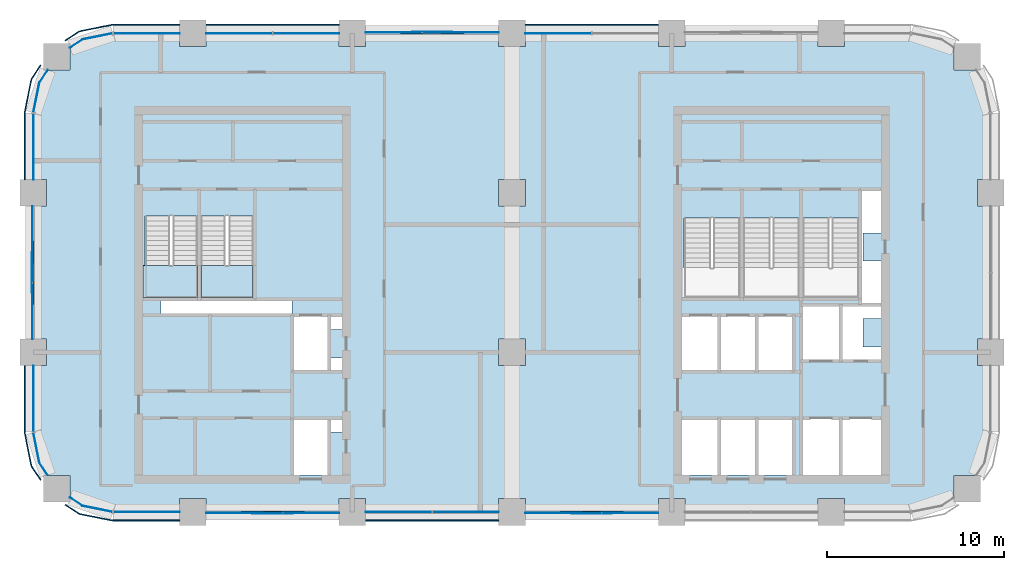
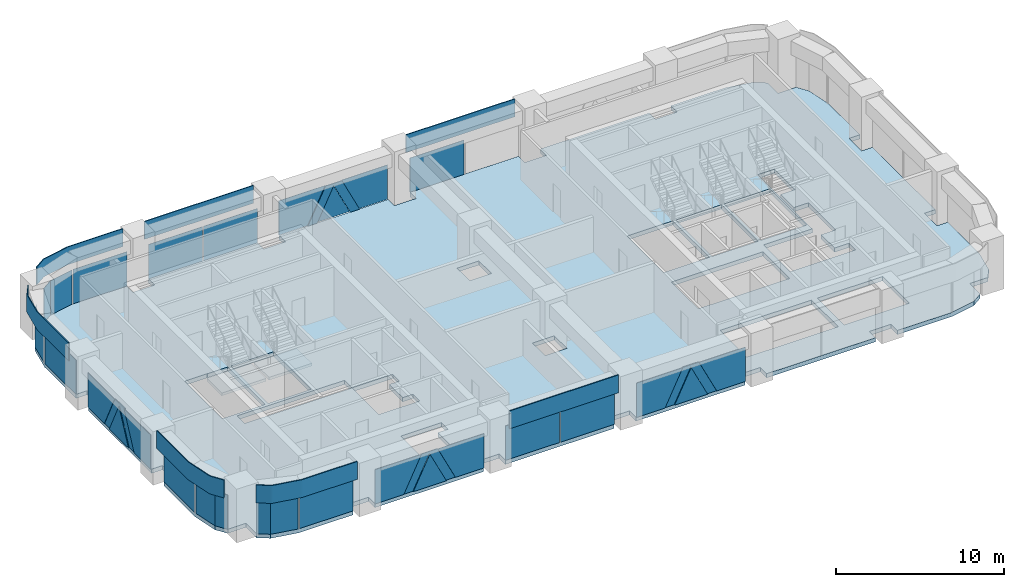
# One storey, part 6 of 18: 36 plates, 3 slabs, 13 elements without a shape of their own.
"""IFC4 building model written with IfcOpenShell, lengths in metres."""

from ifc_helpers import new_model, si_unit, direction, frame, origin, origin_2d, place, context, subcontext, project, spatial, polyline, rectangle, outline, extrude, material, layer, layer_set, type_object, element, aggregate, save


model = new_model("IFC4")

# Units and contexts
model_context = context("Model", 3, precision=1e-05, world=origin(), true_north=direction((0.0, 1.0)))
body_context = subcontext(model_context, "Body", "Model", "MODEL_VIEW")
ifc_project = project(units=[si_unit("LENGTHUNIT", "METRE"), si_unit("AREAUNIT", "SQUARE_METRE"), si_unit("VOLUMEUNIT", "CUBIC_METRE"), si_unit("PLANEANGLEUNIT", "RADIAN"), si_unit("MASSUNIT", "GRAM", prefix="KILO")], contexts=[model_context])

# Site, building, storey
site_placement = place(None, origin())
site = spatial("IfcSite", under=ifc_project, at=site_placement, CompositionType="ELEMENT")
building_placement = place(site_placement, origin())
building = spatial("IfcBuilding", under=site, at=building_placement, Name="Tessera Arch", CompositionType="ELEMENT")
storey_placement = place(building_placement, frame((0.0, 0.0, 185.60009765625)))
storey = spatial("IfcBuildingStorey", under=building, at=storey_placement, Name="L44", CompositionType="ELEMENT", Elevation=185.60009765625)

# Curtain wall, plate
ifc_material_1 = material(Name="CW1 curtain wall")
curtain_wall_type_1 = type_object("IfcCurtainWallType", Name="CW1 curtain wall", PredefinedType="NOTDEFINED", material=ifc_material_1)
curtain_wall_1_placement = place(storey_placement, origin())
curtain_wall_1 = element("IfcCurtainWall", 1, at=curtain_wall_1_placement, inside=storey, type_object=curtain_wall_type_1, Name="CW1 curtain wall N54.0/2 L44", PredefinedType="NOTDEFINED")
ifc_material_2 = material(Name="Clear low-e glass", Category="glass")
ifc_material_3 = material(Name="Clear low-e glass", Category="glass")
ifc_layer_1 = layer(ifc_material_3, 0.028076171875)
ifc_layer_set_1 = layer_set([ifc_layer_1], Name="CW1 glass panel")
plate_type_1 = type_object("IfcPlateType", Name="CW1 glass panel", PredefinedType="CURTAIN_PANEL", material=ifc_layer_set_1)
plate_1_placement = place(storey_placement, frame((29.610107421875, 54.0, 0.0), z_axis=(0.0, 0.0, 1.0), x_axis=(-1.0, 0.0, 0.0)))
plate_1 = element("IfcPlate", 2, at=plate_1_placement, type_object=plate_type_1, material=ifc_material_2, Name="CW1 glass panel N54.0/2 1.2.1", PredefinedType="CURTAIN_PANEL", context=body_context, shape_type="SweptSolid", body=[
    extrude(rectangle(XDim=3.719970703125, YDim=0.028076171875, at=origin_2d()), origin(), (0.0, 0.0, 1.0), 2.5),
])

# Curtain wall, plates
curtain_wall_2_placement = place(storey_placement, origin())
curtain_wall_2 = element("IfcCurtainWall", 3, at=curtain_wall_2_placement, inside=storey, type_object=curtain_wall_type_1, Name="CW1 curtain wall N54.0/4 L44", PredefinedType="NOTDEFINED")
plate_2_placement = place(storey_placement, frame((15.389892578125, 54.0, 0.0), z_axis=(0.0, 0.0, 1.0), x_axis=(-1.0, 0.0, 0.0)))
plate_2 = element("IfcPlate", 4, at=plate_2_placement, type_object=plate_type_1, material=ifc_material_2, Name="CW1 glass panel N54.0/4 1.1.1", PredefinedType="CURTAIN_PANEL", context=body_context, shape_type="SweptSolid", body=[
    extrude(rectangle(XDim=3.719970703125, YDim=0.028076171875, at=origin_2d()), origin(), (0.0, 0.0, 1.0), 2.5),
])
plate_3_placement = place(storey_placement, frame((11.610107421875, 54.0, 0.0), z_axis=(0.0, 0.0, 1.0), x_axis=(-1.0, 0.0, 0.0)))
plate_3 = element("IfcPlate", 5, at=plate_3_placement, type_object=plate_type_1, material=ifc_material_2, Name="CW1 glass panel N54.0/4 1.2.1", PredefinedType="CURTAIN_PANEL", context=body_context, shape_type="SweptSolid", body=[
    extrude(rectangle(XDim=3.719970703125, YDim=0.028076171875, at=origin_2d()), origin(), (0.0, 0.0, 1.0), 2.5),
])

curtain_wall_3_placement = place(storey_placement, origin())
curtain_wall_3 = element("IfcCurtainWall", 6, at=curtain_wall_3_placement, inside=storey, type_object=curtain_wall_type_1, Name="CW1 curtain wall S27.0/2 L44", PredefinedType="NOTDEFINED")
plate_4_placement = place(storey_placement, frame((20.610107421875, 27.0, 0.0), z_axis=(0.0, 0.0, 1.0), x_axis=(1.0, 0.0, 0.0)))
plate_4 = element("IfcPlate", 7, at=plate_4_placement, type_object=plate_type_1, material=ifc_material_2, Name="CW1 glass panel S27.0/2 1.1.1", PredefinedType="CURTAIN_PANEL", context=body_context, shape_type="SweptSolid", body=[
    extrude(rectangle(XDim=3.719970703125, YDim=0.028076171875, at=origin_2d()), origin(), (0.0, 0.0, 1.0), 2.5),
])
plate_5_placement = place(storey_placement, frame((24.389892578125, 27.0, 0.0), z_axis=(0.0, 0.0, 1.0), x_axis=(1.0, 0.0, 0.0)))
plate_5 = element("IfcPlate", 8, at=plate_5_placement, type_object=plate_type_1, material=ifc_material_2, Name="CW1 glass panel S27.0/2 1.2.1", PredefinedType="CURTAIN_PANEL", context=body_context, shape_type="SweptSolid", body=[
    extrude(rectangle(XDim=3.719970703125, YDim=0.028076171875, at=origin_2d()), origin(), (0.0, 0.0, 1.0), 2.5),
])

# Plate
ifc_material_4 = material(Name="Pale anodised aluminium panel", Category="aluminium")
ifc_layer_2 = layer(ifc_material_4, 0.06005859375)
ifc_layer_set_2 = layer_set([ifc_layer_2], Name="CW1 spandrel panel")
plate_type_2 = type_object("IfcPlateType", Name="CW1 spandrel panel", PredefinedType="CURTAIN_PANEL", material=ifc_layer_set_2)
plate_6_placement = place(storey_placement, frame((31.5, 54.47998046875, 2.60009765625), z_axis=(0.0, 0.0, 1.0), x_axis=(-1.0, 0.0, 0.0)))
plate_6 = element("IfcPlate", 9, at=plate_6_placement, type_object=plate_type_2, Name="CW1 spandrel panel N54.0/2", PredefinedType="CURTAIN_PANEL", context=body_context, shape_type="SweptSolid", body=[
    extrude(rectangle(XDim=7.5, YDim=0.06005859375, at=origin_2d()), origin(), (0.0, 0.0, 1.0), 1.300048828125),
])

aggregate(curtain_wall_1, [plate_1, plate_6])

plate_7_placement = place(storey_placement, frame((13.5, 54.47998046875, 2.60009765625), z_axis=(0.0, 0.0, 1.0), x_axis=(-1.0, 0.0, 0.0)))
plate_7 = element("IfcPlate", 10, at=plate_7_placement, type_object=plate_type_2, Name="CW1 spandrel panel N54.0/4", PredefinedType="CURTAIN_PANEL", context=body_context, shape_type="SweptSolid", body=[
    extrude(rectangle(XDim=7.5, YDim=0.06005859375, at=origin_2d()), origin(), (0.0, 0.0, 1.0), 1.300048828125),
])

aggregate(curtain_wall_2, [plate_2, plate_3, plate_7])

plate_8_placement = place(storey_placement, frame((22.5, 26.52001953125, 2.60009765625), z_axis=(0.0, 0.0, 1.0), x_axis=(1.0, 0.0, 0.0)))
plate_8 = element("IfcPlate", 11, at=plate_8_placement, type_object=plate_type_2, Name="CW1 spandrel panel S27.0/2", PredefinedType="CURTAIN_PANEL", context=body_context, shape_type="SweptSolid", body=[
    extrude(rectangle(XDim=7.5, YDim=0.06005859375, at=origin_2d()), origin(), (0.0, 0.0, 1.0), 1.300048828125),
])

aggregate(curtain_wall_3, [plate_4, plate_5, plate_8])

# Curtain wall, plates
ifc_material_5 = material(Name="CW2 curtain wall")
curtain_wall_type_2 = type_object("IfcCurtainWallType", Name="CW2 curtain wall", PredefinedType="NOTDEFINED", material=ifc_material_5)
curtain_wall_4_placement = place(storey_placement, origin())
curtain_wall_4 = element("IfcCurtainWall", 12, at=curtain_wall_4_placement, inside=storey, type_object=curtain_wall_type_2, Name="CW2 curtain wall N54.0/5 L44", PredefinedType="NOTDEFINED")
ifc_material_6 = material(Name="Clear low-e glass", Category="glass")
ifc_layer_3 = layer(ifc_material_6, 0.028076171875)
ifc_layer_set_3 = layer_set([ifc_layer_3], Name="CW2 glass panel")
plate_type_3 = type_object("IfcPlateType", Name="CW2 glass panel", PredefinedType="CURTAIN_PANEL", material=ifc_layer_set_3)
plate_9_placement = place(storey_placement, frame((6.39501953125, 54.0, 0.0), z_axis=(0.0, 0.0, 1.0), x_axis=(-1.0, 0.0, 0.0)))
plate_9 = element("IfcPlate", 13, at=plate_9_placement, type_object=plate_type_3, material=ifc_material_2, Name="CW2 glass panel N54.0/5 1.1", PredefinedType="CURTAIN_PANEL", context=body_context, shape_type="SweptSolid", body=[
    extrude(rectangle(XDim=3.7099609375, YDim=0.028076171875, at=origin_2d()), origin(), (0.0, 0.0, 1.0), 2.5),
])
plate_10_placement = place(storey_placement, origin())
plate_10 = element("IfcPlate", 14, at=plate_10_placement, type_object=plate_type_3, material=ifc_material_2, Name="CW2 curved glass panel N54.0/5 2.1", PredefinedType="CURTAIN_PANEL", context=body_context, shape_type="SweptSolid", body=[
    extrude(outline(polyline([(2.783447265625, 53.644287109375), (4.46337890625, 53.978515625), (4.4580078125, 54.005859375), (2.7724609375, 53.670654296875), (2.060302734375, 53.19482421875), (2.07568359375, 53.17138671875), (2.783447265625, 53.644287109375)])), origin(), (0.0, 0.0, 1.0), 2.5),
])

curtain_wall_5_placement = place(storey_placement, origin())
curtain_wall_5 = element("IfcCurtainWall", 15, at=curtain_wall_5_placement, inside=storey, type_object=curtain_wall_type_2, Name="CW2 curtain wall W0.27/0 L44", PredefinedType="NOTDEFINED")
plate_11_placement = place(storey_placement, frame((0.0, 47.60498046875, 0.0), z_axis=(0.0, 0.0, 1.0), x_axis=(0.0, -1.0, 0.0)))
plate_11 = element("IfcPlate", 16, at=plate_11_placement, type_object=plate_type_3, material=ifc_material_2, Name="CW2 glass panel W0.27/0 1.1", PredefinedType="CURTAIN_PANEL", context=body_context, shape_type="SweptSolid", body=[
    extrude(rectangle(XDim=3.7099609375, YDim=0.028076171875, at=origin_2d()), origin(), (0.0, 0.0, 1.0), 2.5),
])
plate_12_placement = place(storey_placement, origin())
plate_12 = element("IfcPlate", 17, at=plate_12_placement, type_object=plate_type_3, material=ifc_material_2, Name="CW2 curved glass panel W0.27/0 2.1", PredefinedType="CURTAIN_PANEL", context=body_context, shape_type="SweptSolid", body=[
    extrude(outline(polyline([(0.355712890625, 51.216552734375), (0.82861328125, 51.92431640625), (0.80517578125, 51.939697265625), (0.329345703125, 51.2275390625), (-0.005859375, 49.5419921875), (0.021484375, 49.53662109375), (0.355712890625, 51.216552734375)])), origin(), (0.0, 0.0, 1.0), 2.5),
])

curtain_wall_6_placement = place(storey_placement, origin())
curtain_wall_6 = element("IfcCurtainWall", 18, at=curtain_wall_6_placement, inside=storey, type_object=curtain_wall_type_2, Name="CW2 curtain wall W0.27/2 L44", PredefinedType="NOTDEFINED")
plate_13_placement = place(storey_placement, frame((0.0, 33.39501953125, 0.0), z_axis=(0.0, 0.0, 1.0), x_axis=(0.0, -1.0, 0.0)))
plate_13 = element("IfcPlate", 19, at=plate_13_placement, type_object=plate_type_3, material=ifc_material_2, Name="CW2 glass panel W0.27/2 1.1", PredefinedType="CURTAIN_PANEL", context=body_context, shape_type="SweptSolid", body=[
    extrude(rectangle(XDim=3.7099609375, YDim=0.028076171875, at=origin_2d()), origin(), (0.0, 0.0, 1.0), 2.5),
])
plate_14_placement = place(storey_placement, origin())
plate_14 = element("IfcPlate", 20, at=plate_14_placement, type_object=plate_type_3, material=ifc_material_2, Name="CW2 curved glass panel W0.27/2 2.1", PredefinedType="CURTAIN_PANEL", context=body_context, shape_type="SweptSolid", body=[
    extrude(outline(polyline([(0.355712890625, 29.783447265625), (0.021484375, 31.46337890625), (-0.005859375, 31.4580078125), (0.329345703125, 29.7724609375), (0.80517578125, 29.060302734375), (0.82861328125, 29.07568359375), (0.355712890625, 29.783447265625)])), origin(), (0.0, 0.0, 1.0), 2.5),
])

curtain_wall_7_placement = place(storey_placement, origin())
curtain_wall_7 = element("IfcCurtainWall", 21, at=curtain_wall_7_placement, inside=storey, type_object=curtain_wall_type_2, Name="CW2 curtain wall S27.0/0 L44", PredefinedType="NOTDEFINED")
plate_15_placement = place(storey_placement, frame((6.39501953125, 27.0, 0.0), z_axis=(0.0, 0.0, 1.0), x_axis=(1.0, 0.0, 0.0)))
plate_15 = element("IfcPlate", 22, at=plate_15_placement, type_object=plate_type_3, material=ifc_material_2, Name="CW2 glass panel S27.0/0 1.1", PredefinedType="CURTAIN_PANEL", context=body_context, shape_type="SweptSolid", body=[
    extrude(rectangle(XDim=3.7099609375, YDim=0.028076171875, at=origin_2d()), origin(), (0.0, 0.0, 1.0), 2.5),
])
plate_16_placement = place(storey_placement, origin())
plate_16 = element("IfcPlate", 23, at=plate_16_placement, type_object=plate_type_3, material=ifc_material_2, Name="CW2 curved glass panel S27.0/0 2.1", PredefinedType="CURTAIN_PANEL", context=body_context, shape_type="SweptSolid", body=[
    extrude(outline(polyline([(2.783447265625, 27.355712890625), (2.07568359375, 27.82861328125), (2.060302734375, 27.80517578125), (2.7724609375, 27.329345703125), (4.4580078125, 26.994140625), (4.46337890625, 27.021484375), (2.783447265625, 27.355712890625)])), origin(), (0.0, 0.0, 1.0), 2.5),
])

# Plate
ifc_material_7 = material(Name="Pale anodised aluminium panel", Category="aluminium")
ifc_layer_4 = layer(ifc_material_7, 0.06005859375)
ifc_layer_set_4 = layer_set([ifc_layer_4], Name="CW2 spandrel panel")
plate_type_4 = type_object("IfcPlateType", Name="CW2 spandrel panel", PredefinedType="CURTAIN_PANEL", material=ifc_layer_set_4)
plate_17_placement = place(storey_placement, frame((0.0, 0.0, 2.599853515625)))
plate_17 = element("IfcPlate", 24, at=plate_17_placement, type_object=plate_type_4, Name="CW2 spandrel panel N54.0/5", PredefinedType="CURTAIN_PANEL", context=body_context, shape_type="SweptSolid", body=[
    extrude(outline(polyline([(4.500732421875, 54.449951171875), (8.25, 54.449951171875), (8.25, 54.510009765625), (4.499267578125, 54.510009765625), (4.449951171875, 54.507568359375), (4.401123046875, 54.500244140625), (2.677734375, 54.157470703125), (2.6298828125, 54.1455078125), (2.582763671875, 54.128662109375), (2.537353515625, 54.107421875), (2.4951171875, 54.08203125), (1.78466796875, 53.607177734375), (1.81787109375, 53.55712890625), (2.52734375, 54.03125), (2.565673828125, 54.054443359375), (2.605712890625, 54.0732421875), (2.647216796875, 54.088134765625), (2.69091796875, 54.09912109375), (4.411376953125, 54.441162109375), (4.455810546875, 54.44775390625), (4.500732421875, 54.449951171875)])), origin(), (0.0, 0.0, 1.0), 1.300048828125),
])

aggregate(curtain_wall_4, [plate_9, plate_10, plate_17])

plate_18_placement = place(storey_placement, frame((0.0, 0.0, 2.599853515625)))
plate_18 = element("IfcPlate", 25, at=plate_18_placement, type_object=plate_type_4, Name="CW2 spandrel panel W0.27/0", PredefinedType="CURTAIN_PANEL", context=body_context, shape_type="SweptSolid", body=[
    extrude(outline(polyline([(-0.03125, 51.47265625), (0.44287109375, 52.18212890625), (0.392822265625, 52.21533203125), (-0.08203125, 51.5048828125), (-0.107421875, 51.462646484375), (-0.128662109375, 51.417236328125), (-0.1455078125, 51.3701171875), (-0.157470703125, 51.322265625), (-0.500244140625, 49.598876953125), (-0.507568359375, 49.550048828125), (-0.510009765625, 49.500732421875), (-0.510009765625, 45.75), (-0.449951171875, 45.75), (-0.449951171875, 49.499267578125), (-0.44775390625, 49.544189453125), (-0.441162109375, 49.588623046875), (-0.09912109375, 51.30908203125), (-0.088134765625, 51.352783203125), (-0.0732421875, 51.394287109375), (-0.054443359375, 51.434326171875), (-0.03125, 51.47265625)])), origin(), (0.0, 0.0, 1.0), 1.300048828125),
])

aggregate(curtain_wall_5, [plate_11, plate_12, plate_18])

plate_19_placement = place(storey_placement, frame((0.0, 0.0, 2.599853515625)))
plate_19 = element("IfcPlate", 26, at=plate_19_placement, type_object=plate_type_4, Name="CW2 spandrel panel W0.27/2", PredefinedType="CURTAIN_PANEL", context=body_context, shape_type="SweptSolid", body=[
    extrude(outline(polyline([(-0.449951171875, 31.500732421875), (-0.449951171875, 35.25), (-0.510009765625, 35.25), (-0.510009765625, 31.499267578125), (-0.507568359375, 31.449951171875), (-0.500244140625, 31.401123046875), (-0.157470703125, 29.677734375), (-0.1455078125, 29.6298828125), (-0.128662109375, 29.582763671875), (-0.107421875, 29.537353515625), (-0.08203125, 29.4951171875), (0.392822265625, 28.78466796875), (0.44287109375, 28.81787109375), (-0.03125, 29.52734375), (-0.054443359375, 29.565673828125), (-0.0732421875, 29.605712890625), (-0.088134765625, 29.647216796875), (-0.09912109375, 29.69091796875), (-0.441162109375, 31.411376953125), (-0.44775390625, 31.455810546875), (-0.449951171875, 31.500732421875)])), origin(), (0.0, 0.0, 1.0), 1.300048828125),
])

aggregate(curtain_wall_6, [plate_13, plate_14, plate_19])

plate_20_placement = place(storey_placement, frame((0.0, 0.0, 2.599853515625)))
plate_20 = element("IfcPlate", 27, at=plate_20_placement, type_object=plate_type_4, Name="CW2 spandrel panel S27.0/0", PredefinedType="CURTAIN_PANEL", context=body_context, shape_type="SweptSolid", body=[
    extrude(outline(polyline([(2.52734375, 26.96875), (1.81787109375, 27.44287109375), (1.78466796875, 27.392822265625), (2.4951171875, 26.91796875), (2.537353515625, 26.892578125), (2.582763671875, 26.871337890625), (2.6298828125, 26.8544921875), (2.677734375, 26.842529296875), (4.401123046875, 26.499755859375), (4.449951171875, 26.492431640625), (4.499267578125, 26.489990234375), (8.25, 26.489990234375), (8.25, 26.550048828125), (4.500732421875, 26.550048828125), (4.455810546875, 26.55224609375), (4.411376953125, 26.558837890625), (2.69091796875, 26.90087890625), (2.647216796875, 26.911865234375), (2.605712890625, 26.9267578125), (2.565673828125, 26.945556640625), (2.52734375, 26.96875)])), origin(), (0.0, 0.0, 1.0), 1.300048828125),
])

aggregate(curtain_wall_7, [plate_15, plate_16, plate_20])

# Curtain wall, plate
ifc_material_8 = material(Name="CW3 curtain wall")
curtain_wall_type_3 = type_object("IfcCurtainWallType", Name="CW3 curtain wall", PredefinedType="NOTDEFINED", material=ifc_material_8)
curtain_wall_8_placement = place(storey_placement, origin())
curtain_wall_8 = element("IfcCurtainWall", 28, at=curtain_wall_8_placement, inside=storey, type_object=curtain_wall_type_3, Name="CW3 curtain wall N54.0/3 L44", PredefinedType="NOTDEFINED")
ifc_material_9 = material(Name="Pale anodised aluminium panel", Category="aluminium")
ifc_layer_5 = layer(ifc_material_9, 0.06005859375)
ifc_layer_set_5 = layer_set([ifc_layer_5], Name="CW3 diagonal panel")
plate_type_5 = type_object("IfcPlateType", Name="CW3 diagonal panel", PredefinedType="CURTAIN_PANEL", material=ifc_layer_set_5)
plate_21_placement = place(storey_placement, frame((21.935546875, 54.030029296875, 2.5), z_axis=(0.0, 1.0, 0.0), x_axis=(1.0, 0.0, 0.0)))
plate_21 = element("IfcPlate", 29, at=plate_21_placement, type_object=plate_type_5, Name="CW3 diagonal panel N54.0/3 1", PredefinedType="CURTAIN_PANEL", context=body_context, shape_type="SweptSolid", body=[
    extrude(outline(polyline([(0.0, 0.0), (1.12890625, 0.0), (2.346435546875, 2.5), (1.70458984375, 2.5), (0.564453125, 0.1591796875), (-0.57568359375, 2.5), (-1.217529296875, 2.5), (0.0, 0.0)])), origin(), (0.0, 0.0, -1.0), 0.06005859375),
])

curtain_wall_9_placement = place(storey_placement, origin())
curtain_wall_9 = element("IfcCurtainWall", 30, at=curtain_wall_9_placement, inside=storey, type_object=curtain_wall_type_3, Name="CW3 curtain wall W0.27/1 L44", PredefinedType="NOTDEFINED")
plate_22_placement = place(storey_placement, frame((-0.030029296875, 39.935546875, 2.5), z_axis=(-1.0, 0.0, 0.0), x_axis=(0.0, 1.0, 0.0)))
plate_22 = element("IfcPlate", 31, at=plate_22_placement, type_object=plate_type_5, Name="CW3 diagonal panel W0.27/1 1", PredefinedType="CURTAIN_PANEL", context=body_context, shape_type="SweptSolid", body=[
    extrude(outline(polyline([(0.0, 0.0), (1.12890625, 0.0), (2.346435546875, 2.5), (1.70458984375, 2.5), (0.564453125, 0.1591796875), (-0.57568359375, 2.5), (-1.217529296875, 2.5), (0.0, 0.0)])), origin(), (0.0, 0.0, -1.0), 0.06005859375),
])

curtain_wall_10_placement = place(storey_placement, origin())
curtain_wall_10 = element("IfcCurtainWall", 32, at=curtain_wall_10_placement, inside=storey, type_object=curtain_wall_type_3, Name="CW3 curtain wall S27.0/1 L44", PredefinedType="NOTDEFINED")
plate_23_placement = place(storey_placement, frame((14.064453125, 26.969970703125, 2.5), z_axis=(0.0, -1.0, 0.0), x_axis=(-1.0, 0.0, 0.0)))
plate_23 = element("IfcPlate", 33, at=plate_23_placement, type_object=plate_type_5, Name="CW3 diagonal panel S27.0/1 1", PredefinedType="CURTAIN_PANEL", context=body_context, shape_type="SweptSolid", body=[
    extrude(outline(polyline([(0.0, 0.0), (1.12890625, 0.0), (2.346435546875, 2.5), (1.70458984375, 2.5), (0.564453125, 0.1591796875), (-0.57568359375, 2.5), (-1.217529296875, 2.5), (0.0, 0.0)])), origin(), (0.0, 0.0, -1.0), 0.06005859375),
])

curtain_wall_11_placement = place(storey_placement, origin())
curtain_wall_11 = element("IfcCurtainWall", 34, at=curtain_wall_11_placement, inside=storey, type_object=curtain_wall_type_3, Name="CW3 curtain wall S27.0/3 L44", PredefinedType="NOTDEFINED")
plate_24_placement = place(storey_placement, frame((32.064453125, 26.969970703125, 2.5), z_axis=(0.0, -1.0, 0.0), x_axis=(-1.0, 0.0, 0.0)))
plate_24 = element("IfcPlate", 35, at=plate_24_placement, type_object=plate_type_5, Name="CW3 diagonal panel S27.0/3 1", PredefinedType="CURTAIN_PANEL", context=body_context, shape_type="SweptSolid", body=[
    extrude(outline(polyline([(0.0, 0.0), (1.12890625, 0.0), (2.346435546875, 2.5), (1.70458984375, 2.5), (0.564453125, 0.1591796875), (-0.57568359375, 2.5), (-1.217529296875, 2.5), (0.0, 0.0)])), origin(), (0.0, 0.0, -1.0), 0.06005859375),
])

# Plate
ifc_material_10 = material(Name="Clear low-e glass", Category="glass")
ifc_layer_6 = layer(ifc_material_10, 0.028076171875)
ifc_layer_set_6 = layer_set([ifc_layer_6], Name="CW3 glass panel")
plate_type_6 = type_object("IfcPlateType", Name="CW3 glass panel", PredefinedType="CURTAIN_PANEL", material=ifc_layer_set_6)
plate_25_placement = place(storey_placement, frame((26.25, 54.05810546875, 0.0), z_axis=(0.0, 1.0, 0.0), x_axis=(-1.0, 0.0, 0.0)))
plate_25 = element("IfcPlate", 36, at=plate_25_placement, type_object=plate_type_6, material=ifc_material_2, Name="CW3 triangulated glass panel N54.0/3 1", PredefinedType="CURTAIN_PANEL", context=body_context, shape_type="SweptSolid", body=[
    extrude(outline(polyline([(0.0, 0.0), (1.968017578125, 0.0), (3.185546875, 2.5), (0.0, 2.5), (0.0, 0.0)])), origin(), (0.0, 0.0, -1.0), 0.028076171875),
])

plate_26_placement = place(storey_placement, frame((23.64013671875, 54.0859375, 0.0), z_axis=(0.0, 1.0, 0.0), x_axis=(-1.0, 0.0, 0.0)))
plate_26 = element("IfcPlate", 37, at=plate_26_placement, type_object=plate_type_6, material=ifc_material_2, Name="CW3 triangulated glass panel N54.0/3 2", PredefinedType="CURTAIN_PANEL", context=body_context, shape_type="SweptSolid", body=[
    extrude(outline(polyline([(0.0, 0.0), (2.2802734375, 0.0), (1.14013671875, 2.3408203125), (0.0, 0.0)])), origin(), (0.0, 0.0, -1.0), 0.028076171875),
])

plate_27_placement = place(storey_placement, frame((18.75, 54.05810546875, 2.5), z_axis=(0.0, 1.0, 0.0), x_axis=(1.0, 0.0, 0.0)))
plate_27 = element("IfcPlate", 38, at=plate_27_placement, type_object=plate_type_6, material=ifc_material_2, Name="CW3 triangulated glass panel N54.0/3 3", PredefinedType="CURTAIN_PANEL", context=body_context, shape_type="SweptSolid", body=[
    extrude(outline(polyline([(0.0, 0.0), (3.185546875, 0.0), (1.968017578125, 2.5), (0.0, 2.5), (0.0, 0.0)])), origin(), (0.0, 0.0, -1.0), 0.028076171875),
])

aggregate(curtain_wall_8, [plate_25, plate_26, plate_27, plate_21])

plate_28_placement = place(storey_placement, frame((-0.05810546875, 44.25, 0.0), z_axis=(-1.0, 0.0, 0.0), x_axis=(0.0, -1.0, 0.0)))
plate_28 = element("IfcPlate", 39, at=plate_28_placement, type_object=plate_type_6, material=ifc_material_2, Name="CW3 triangulated glass panel W0.27/1 1", PredefinedType="CURTAIN_PANEL", context=body_context, shape_type="SweptSolid", body=[
    extrude(outline(polyline([(0.0, 0.0), (1.968017578125, 0.0), (3.185546875, 2.5), (0.0, 2.5), (0.0, 0.0)])), origin(), (0.0, 0.0, -1.0), 0.028076171875),
])

plate_29_placement = place(storey_placement, frame((-0.0859375, 41.64013671875, 0.0), z_axis=(-1.0, 0.0, 0.0), x_axis=(0.0, -1.0, 0.0)))
plate_29 = element("IfcPlate", 40, at=plate_29_placement, type_object=plate_type_6, material=ifc_material_2, Name="CW3 triangulated glass panel W0.27/1 2", PredefinedType="CURTAIN_PANEL", context=body_context, shape_type="SweptSolid", body=[
    extrude(outline(polyline([(0.0, 0.0), (2.2802734375, 0.0), (1.14013671875, 2.3408203125), (0.0, 0.0)])), origin(), (0.0, 0.0, -1.0), 0.028076171875),
])

plate_30_placement = place(storey_placement, frame((-0.05810546875, 36.75, 2.5), z_axis=(-1.0, 0.0, 0.0), x_axis=(0.0, 1.0, 0.0)))
plate_30 = element("IfcPlate", 41, at=plate_30_placement, type_object=plate_type_6, material=ifc_material_2, Name="CW3 triangulated glass panel W0.27/1 3", PredefinedType="CURTAIN_PANEL", context=body_context, shape_type="SweptSolid", body=[
    extrude(outline(polyline([(0.0, 0.0), (3.185546875, 0.0), (1.968017578125, 2.5), (0.0, 2.5), (0.0, 0.0)])), origin(), (0.0, 0.0, -1.0), 0.028076171875),
])

aggregate(curtain_wall_9, [plate_28, plate_29, plate_30, plate_22])

plate_31_placement = place(storey_placement, frame((9.75, 26.94189453125, 0.0), z_axis=(0.0, -1.0, 0.0), x_axis=(1.0, 0.0, 0.0)))
plate_31 = element("IfcPlate", 42, at=plate_31_placement, type_object=plate_type_6, material=ifc_material_2, Name="CW3 triangulated glass panel S27.0/1 1", PredefinedType="CURTAIN_PANEL", context=body_context, shape_type="SweptSolid", body=[
    extrude(outline(polyline([(0.0, 0.0), (1.968017578125, 0.0), (3.185546875, 2.5), (0.0, 2.5), (0.0, 0.0)])), origin(), (0.0, 0.0, -1.0), 0.028076171875),
])

plate_32_placement = place(storey_placement, frame((12.35986328125, 26.9140625, 0.0), z_axis=(0.0, -1.0, 0.0), x_axis=(1.0, 0.0, 0.0)))
plate_32 = element("IfcPlate", 43, at=plate_32_placement, type_object=plate_type_6, material=ifc_material_2, Name="CW3 triangulated glass panel S27.0/1 2", PredefinedType="CURTAIN_PANEL", context=body_context, shape_type="SweptSolid", body=[
    extrude(outline(polyline([(0.0, 0.0), (2.2802734375, 0.0), (1.14013671875, 2.3408203125), (0.0, 0.0)])), origin(), (0.0, 0.0, -1.0), 0.028076171875),
])

plate_33_placement = place(storey_placement, frame((17.25, 26.94189453125, 2.5), z_axis=(0.0, -1.0, 0.0), x_axis=(-1.0, 0.0, 0.0)))
plate_33 = element("IfcPlate", 44, at=plate_33_placement, type_object=plate_type_6, material=ifc_material_2, Name="CW3 triangulated glass panel S27.0/1 3", PredefinedType="CURTAIN_PANEL", context=body_context, shape_type="SweptSolid", body=[
    extrude(outline(polyline([(0.0, 0.0), (3.185546875, 0.0), (1.968017578125, 2.5), (0.0, 2.5), (0.0, 0.0)])), origin(), (0.0, 0.0, -1.0), 0.028076171875),
])

aggregate(curtain_wall_10, [plate_31, plate_32, plate_33, plate_23])

plate_34_placement = place(storey_placement, frame((27.75, 26.94189453125, 0.0), z_axis=(0.0, -1.0, 0.0), x_axis=(1.0, 0.0, 0.0)))
plate_34 = element("IfcPlate", 45, at=plate_34_placement, type_object=plate_type_6, material=ifc_material_2, Name="CW3 triangulated glass panel S27.0/3 1", PredefinedType="CURTAIN_PANEL", context=body_context, shape_type="SweptSolid", body=[
    extrude(outline(polyline([(0.0, 0.0), (1.968017578125, 0.0), (3.185546875, 2.5), (0.0, 2.5), (0.0, 0.0)])), origin(), (0.0, 0.0, -1.0), 0.028076171875),
])

plate_35_placement = place(storey_placement, frame((30.35986328125, 26.9140625, 0.0), z_axis=(0.0, -1.0, 0.0), x_axis=(1.0, 0.0, 0.0)))
plate_35 = element("IfcPlate", 46, at=plate_35_placement, type_object=plate_type_6, material=ifc_material_2, Name="CW3 triangulated glass panel S27.0/3 2", PredefinedType="CURTAIN_PANEL", context=body_context, shape_type="SweptSolid", body=[
    extrude(outline(polyline([(0.0, 0.0), (2.2802734375, 0.0), (1.14013671875, 2.3408203125), (0.0, 0.0)])), origin(), (0.0, 0.0, -1.0), 0.028076171875),
])

plate_36_placement = place(storey_placement, frame((35.25, 26.94189453125, 2.5), z_axis=(0.0, -1.0, 0.0), x_axis=(-1.0, 0.0, 0.0)))
plate_36 = element("IfcPlate", 47, at=plate_36_placement, type_object=plate_type_6, material=ifc_material_2, Name="CW3 triangulated glass panel S27.0/3 3", PredefinedType="CURTAIN_PANEL", context=body_context, shape_type="SweptSolid", body=[
    extrude(outline(polyline([(0.0, 0.0), (3.185546875, 0.0), (1.968017578125, 2.5), (0.0, 2.5), (0.0, 0.0)])), origin(), (0.0, 0.0, -1.0), 0.028076171875),
])

aggregate(curtain_wall_11, [plate_34, plate_35, plate_36, plate_24])

# Slab
ifc_material_11 = material(Name="Concrete C40/50", Category="concrete")
ifc_layer_7 = layer(ifc_material_11, 0.300048828125)
ifc_layer_set_7 = layer_set([ifc_layer_7], Name="Floor slab 300 Concrete C40/50")
slab_type_1 = type_object("IfcSlabType", Name="Floor slab 300 Concrete C40/50", PredefinedType="FLOOR", material=ifc_layer_set_7)
slab_1_placement = place(storey_placement, frame((0.0, 0.0, -0.300048828125)))
element("IfcSlab", 48, at=slab_1_placement, inside=storey, type_object=slab_type_1, Name="Floor slab L44 1", PredefinedType="FLOOR", context=body_context, shape_type="SweptSolid", body=[
    extrude(outline(polyline([(54.0, 31.5), (53.657470703125, 29.77783203125), (53.18310546875, 29.068115234375), (51.931884765625, 29.068115234375), (51.931884765625, 27.81689453125), (51.22216796875, 27.342529296875), (49.5, 27.0), (45.75, 27.0), (45.75, 27.75), (44.25, 27.75), (44.25, 27.0), (36.75, 27.0), (36.75, 27.75), (35.25, 27.75), (35.25, 27.0), (27.75, 27.0), (27.75, 27.75), (26.25, 27.75), (26.25, 27.0), (18.75, 27.0), (18.75, 27.75), (17.25, 27.75), (17.25, 27.0), (9.75, 27.0), (9.75, 27.75), (8.25, 27.75), (8.25, 27.0), (4.5, 27.0), (2.77783203125, 27.342529296875), (2.068115234375, 27.81689453125), (2.068115234375, 29.068115234375), (0.81689453125, 29.068115234375), (0.342529296875, 29.77783203125), (0.0, 31.5), (0.0, 35.25), (0.75, 35.25), (0.75, 36.75), (0.0, 36.75), (0.0, 44.25), (0.75, 44.25), (0.75, 45.75), (0.0, 45.75), (0.0, 49.5), (0.342529296875, 51.22216796875), (0.81689453125, 51.931884765625), (2.068115234375, 51.931884765625), (2.068115234375, 53.18310546875), (2.77783203125, 53.657470703125), (4.5, 54.0), (8.25, 54.0), (8.25, 53.25), (9.75, 53.25), (9.75, 54.0), (17.25, 54.0), (17.25, 53.25), (18.75, 53.25), (18.75, 54.0), (26.25, 54.0), (26.25, 53.25), (27.75, 53.25), (27.75, 54.0), (35.25, 54.0), (35.25, 53.25), (36.75, 53.25), (36.75, 54.0), (44.25, 54.0), (44.25, 53.25), (45.75, 53.25), (45.75, 54.0), (49.5, 54.0), (51.22216796875, 53.657470703125), (51.931884765625, 53.18310546875), (51.931884765625, 51.931884765625), (53.18310546875, 51.931884765625), (53.657470703125, 51.22216796875), (54.0, 49.5), (54.0, 45.75), (53.25, 45.75), (53.25, 44.25), (54.0, 44.25), (54.0, 36.75), (53.25, 36.75), (53.25, 35.25), (54.0, 35.25), (54.0, 31.5)]), holes=[polyline([(14.60009765625, 29.10009765625), (16.699951171875, 29.10009765625), (16.699951171875, 31.5), (17.39990234375, 31.5), (17.39990234375, 32.300048828125), (16.699951171875, 32.300048828125), (14.60009765625, 32.300048828125), (14.60009765625, 29.10009765625)]), polyline([(26.25, 36.75), (26.25, 35.25), (27.75, 35.25), (27.75, 36.75), (26.25, 36.75)]), polyline([(17.39990234375, 37.300048828125), (17.39990234375, 38.10009765625), (16.699951171875, 38.10009765625), (14.60498046875, 38.10009765625), (14.60498046875, 38.10498046875), (14.60009765625, 38.10498046875), (14.60009765625, 39.0), (7.199951171875, 39.0), (7.199951171875, 38.10009765625), (14.594970703125, 38.10009765625), (14.594970703125, 38.094970703125), (14.60009765625, 38.094970703125), (14.60009765625, 34.89990234375), (16.699951171875, 34.89990234375), (17.39990234375, 34.89990234375), (17.39990234375, 35.699951171875), (16.699951171875, 35.699951171875), (16.699951171875, 37.300048828125), (17.39990234375, 37.300048828125)]), polyline([(6.300048828125, 43.68994140625), (6.300048828125, 39.199951171875), (9.25, 39.199951171875), (9.25, 43.68994140625), (7.85009765625, 43.68994140625), (7.85009765625, 43.699951171875), (7.699951171875, 43.699951171875), (7.699951171875, 43.68994140625), (6.300048828125, 43.68994140625)]), polyline([(9.449951171875, 39.199951171875), (12.39990234375, 39.199951171875), (12.39990234375, 43.68994140625), (11.0, 43.68994140625), (11.0, 43.699951171875), (10.85009765625, 43.699951171875), (10.85009765625, 43.68994140625), (9.449951171875, 43.68994140625), (9.449951171875, 39.199951171875)]), polyline([(38.699951171875, 29.10009765625), (40.800048828125, 29.10009765625), (42.89990234375, 29.10009765625), (42.89990234375, 32.300048828125), (40.800048828125, 32.300048828125), (38.699951171875, 32.300048828125), (36.60009765625, 32.300048828125), (36.60009765625, 29.10009765625), (38.699951171875, 29.10009765625)]), polyline([(45.550048828125, 32.300048828125), (43.300048828125, 32.300048828125), (43.300048828125, 29.10009765625), (45.550048828125, 29.10009765625), (47.800048828125, 29.10009765625), (47.800048828125, 32.300048828125), (45.550048828125, 32.300048828125)]), polyline([(40.800048828125, 34.89990234375), (42.89990234375, 34.89990234375), (42.89990234375, 38.10009765625), (40.800048828125, 38.10009765625), (38.699951171875, 38.10009765625), (36.60009765625, 38.10009765625), (36.60009765625, 34.89990234375), (38.699951171875, 34.89990234375), (40.800048828125, 34.89990234375)]), polyline([(47.800048828125, 42.75), (47.800048828125, 45.199951171875), (46.64990234375, 45.199951171875), (46.64990234375, 38.699951171875), (45.550048828125, 38.699951171875), (43.300048828125, 38.699951171875), (43.300048828125, 35.5), (45.550048828125, 35.5), (47.800048828125, 35.5), (47.800048828125, 36.300048828125), (46.800048828125, 36.300048828125), (46.800048828125, 37.89990234375), (47.800048828125, 37.89990234375), (47.800048828125, 38.699951171875), (47.800048828125, 41.14990234375), (46.800048828125, 41.14990234375), (46.800048828125, 42.75), (47.800048828125, 42.75)]), polyline([(36.699951171875, 39.199951171875), (39.85009765625, 39.199951171875), (39.85009765625, 43.570068359375), (38.330078125, 43.570068359375), (38.330078125, 43.580078125), (38.219970703125, 43.580078125), (38.219970703125, 43.570068359375), (36.699951171875, 43.570068359375), (36.699951171875, 39.199951171875)]), polyline([(40.050048828125, 39.199951171875), (43.199951171875, 39.199951171875), (43.199951171875, 43.570068359375), (41.679931640625, 43.570068359375), (41.679931640625, 43.580078125), (41.570068359375, 43.580078125), (41.570068359375, 43.570068359375), (40.050048828125, 43.570068359375), (40.050048828125, 39.199951171875)]), polyline([(43.39990234375, 43.570068359375), (43.39990234375, 39.199951171875), (46.550048828125, 39.199951171875), (46.550048828125, 43.570068359375), (45.030029296875, 43.570068359375), (45.030029296875, 43.580078125), (44.919921875, 43.580078125), (44.919921875, 43.570068359375), (43.39990234375, 43.570068359375)]), polyline([(26.25, 45.75), (26.25, 44.25), (27.75, 44.25), (27.75, 45.75), (26.25, 45.75)])]), origin(), (0.0, 0.0, 1.0), 0.300048828125),
])

# Stair, slab
ifc_material_12 = material(Name="Concrete C40/50", Category="concrete")
stair_type = type_object("IfcStairType", Name="Dogleg stair 1400", PredefinedType="HALF_TURN_STAIR", material=ifc_material_12)
stair_1_placement = place(storey_placement, origin())
stair_1 = element("IfcStair", 49, at=stair_1_placement, inside=storey, type_object=stair_type, Name="L44 S2a", PredefinedType="HALF_TURN_STAIR")
ifc_material_13 = material(Name="Concrete C40/50", Category="concrete")
ifc_layer_8 = layer(ifc_material_13, 0.300048828125)
ifc_layer_set_8 = layer_set([ifc_layer_8], Name="Stair landing 300")
slab_type_2 = type_object("IfcSlabType", Name="Stair landing 300", PredefinedType="LANDING", material=ifc_layer_set_8)
slab_2_placement = place(storey_placement, frame((0.0, 0.0, 1.75)))
slab_2 = element("IfcSlab", 50, at=slab_2_placement, type_object=slab_type_2, Name="S2a landing 1", PredefinedType="LANDING", context=body_context, shape_type="SweptSolid", body=[
    extrude(outline(polyline([(6.199951171875, 40.89990234375), (6.199951171875, 39.10009765625), (9.25, 39.10009765625), (9.25, 40.89990234375), (6.199951171875, 40.89990234375)])), origin(), (0.0, 0.0, 1.0), 0.199951171875),
])
aggregate(stair_1, [slab_2])

stair_2_placement = place(storey_placement, origin())
stair_2 = element("IfcStair", 51, at=stair_2_placement, inside=storey, type_object=stair_type, Name="L44 S2b", PredefinedType="HALF_TURN_STAIR")
slab_3_placement = place(storey_placement, frame((0.0, 0.0, 1.75)))
slab_3 = element("IfcSlab", 52, at=slab_3_placement, type_object=slab_type_2, Name="S2b landing 1", PredefinedType="LANDING", context=body_context, shape_type="SweptSolid", body=[
    extrude(outline(polyline([(9.449951171875, 40.89990234375), (9.449951171875, 39.10009765625), (12.39990234375, 39.10009765625), (12.39990234375, 40.89990234375), (9.449951171875, 40.89990234375)])), origin(), (0.0, 0.0, 1.0), 0.199951171875),
])
aggregate(stair_2, [slab_3])

save(model, "model.ifc")
